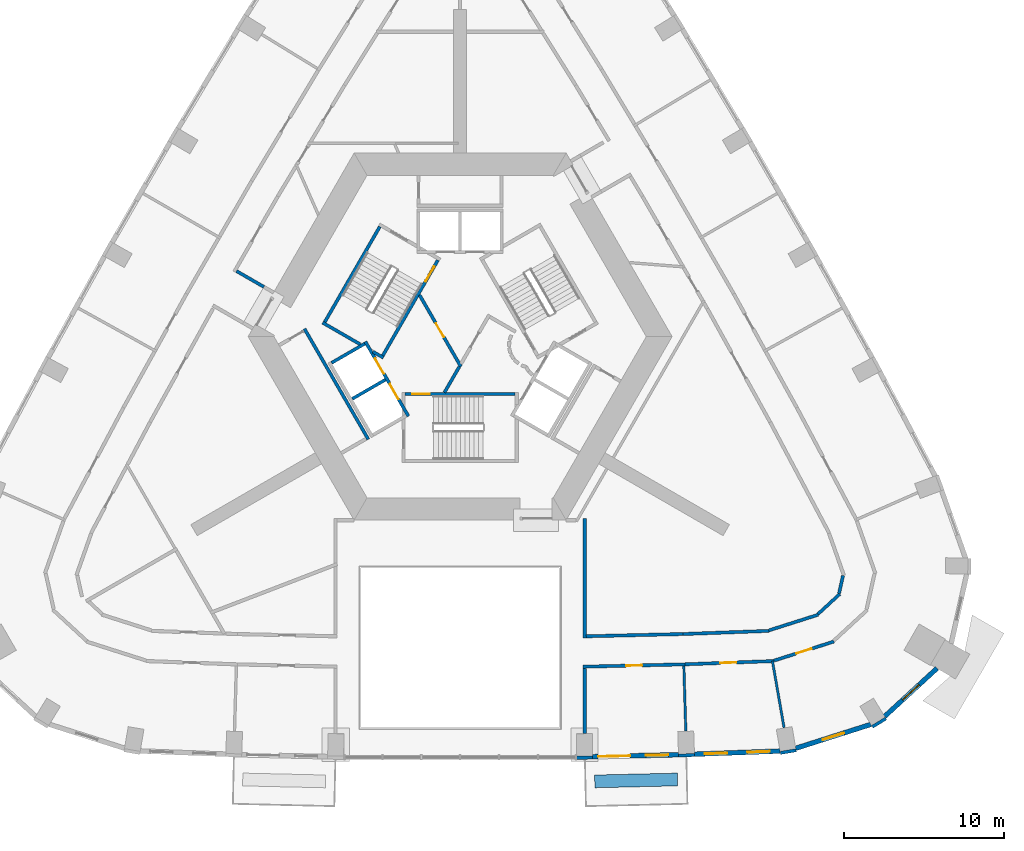
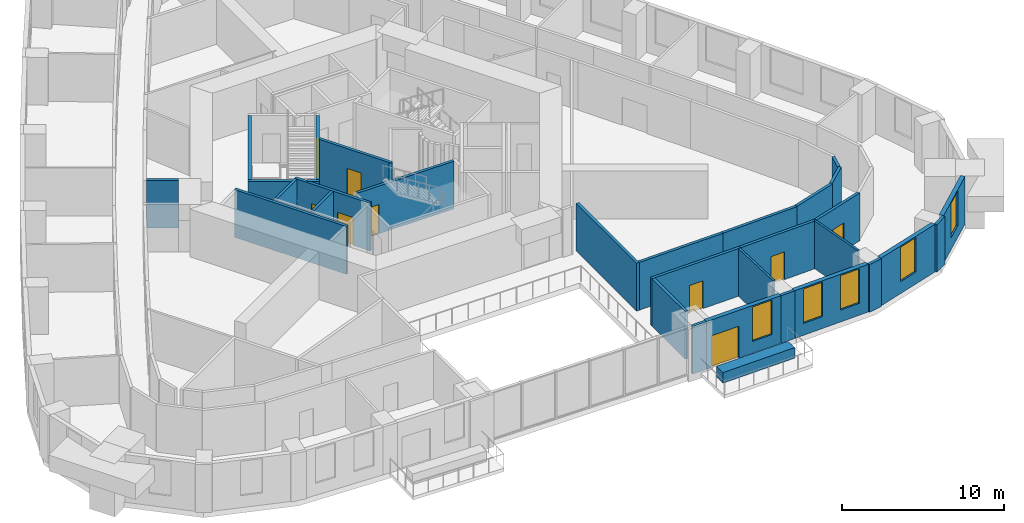
# One storey, part 5 of 13: 33 walls, 9 doors, 5 windows, 14 openings.
"""IFC4 building model written with IfcOpenShell, lengths in metres."""

from ifc_helpers import new_model, si_unit, direction, frame, frame_2d, origin, place, context, subcontext, project, spatial, rectangle, extrude, material, layer, layer_set, type_object, element, fill, save


model = new_model("IFC4")

# Units and contexts
model_context = context("Model", 3, precision=1e-05, world=origin(), true_north=direction((0.0, 1.0)))
body_context = subcontext(model_context, "Body", "Model", "MODEL_VIEW")
ifc_project = project(units=[si_unit("LENGTHUNIT", "METRE"), si_unit("AREAUNIT", "SQUARE_METRE"), si_unit("VOLUMEUNIT", "CUBIC_METRE"), si_unit("PLANEANGLEUNIT", "RADIAN"), si_unit("MASSUNIT", "GRAM", prefix="KILO")], contexts=[model_context])

# Site, building, storey
site_placement = place(None, origin())
site = spatial("IfcSite", under=ifc_project, at=site_placement, CompositionType="ELEMENT")
building_placement = place(site_placement, origin())
building = spatial("IfcBuilding", under=site, at=building_placement, Name="Entoto Arch Interchange Tower", CompositionType="ELEMENT")
storey_placement = place(building_placement, frame((0.0, 0.0, 231.800048828125)))
storey = spatial("IfcBuildingStorey", under=building, at=storey_placement, Name="L52", CompositionType="ELEMENT", Elevation=231.800048828125)

# Wall, openings, doors
ifc_material_1 = material(Name="Concrete C40/50", Category="concrete")
ifc_layer_1 = layer(ifc_material_1, 0.199951171875)
ifc_layer_set_1 = layer_set([ifc_layer_1], Name="Concrete C40/50")
wall_type_1 = type_object("IfcWallType", Name="LIFT SHAFT WALL 200", PredefinedType="STANDARD", material=ifc_layer_set_1)
wall_1_placement = place(storey_placement, frame((-5.93994140625, 2.18798828125, 0.0), z_axis=(0.0, 0.0, 1.0), x_axis=(0.500034260056, -0.866005622828, 0.0)))
wall_1 = element("IfcWall", 1, at=wall_1_placement, inside=storey, type_object=wall_type_1, Name="Shaft wall SW1 front", PredefinedType="STANDARD", context=body_context, shape_type="SweptSolid", body=[
    extrude(rectangle(XDim=5.3994140625, YDim=0.199951171875, at=frame_2d((2.69970703125, 0.0))), origin(), (0.0, 0.0, 1.0), 3.599853515625),
])
opening_1_placement = place(wall_1_placement, frame((3.074951171875, 0.0, 0.0)))
opening_1 = element("IfcOpeningElement", 2, at=opening_1_placement, cuts=wall_1, Name="Opening LD-HR4-L52", PredefinedType="OPENING", context=body_context, shape_type="SweptSolid", body=[
    extrude(rectangle(XDim=1.10009765625, YDim=2.10009765625, at=frame_2d((0.550048828125, 1.050048828125))), frame((0.0, 0.10986328125, 0.0), z_axis=(0.0, -1.0, 0.0), x_axis=(1.0, 0.0, 0.0)), (0.0, 0.0, 1.0), 0.219970703125),
])
opening_2_placement = place(wall_1_placement, frame((1.22509765625, 0.0, 0.0)))
opening_2 = element("IfcOpeningElement", 3, at=opening_2_placement, cuts=wall_1, Name="Opening LD-FF2-L52", PredefinedType="OPENING", context=body_context, shape_type="SweptSolid", body=[
    extrude(rectangle(XDim=1.10009765625, YDim=2.10009765625, at=frame_2d((0.550048828125, 1.050048828125))), frame((0.0, 0.10986328125, 0.0), z_axis=(0.0, -1.0, 0.0), x_axis=(1.0, 0.0, 0.0)), (0.0, 0.0, 1.0), 0.219970703125),
])
ifc_material_2 = material(Name="Stainless steel 1.4301 panels", Category="steel")
door_type_1 = type_object("IfcDoorType", Name="LIFT LANDING DOOR LD1 1100x2100", OperationType="SLIDING_TO_LEFT", PredefinedType="DOOR", material=ifc_material_2)
door_1_placement = place(opening_1_placement, origin())
door_1 = element("IfcDoor", 4, at=door_1_placement, inside=storey, type_object=door_type_1, Name="Lift landing door HR4 L52", OperationType="SLIDING_TO_LEFT", OverallHeight=2.10009765625, OverallWidth=1.10009765625, PredefinedType="DOOR", context=body_context, shape_type="SweptSolid", body=[
    extrude(rectangle(XDim=1.10009765625, YDim=2.10009765625, at=frame_2d((0.550048828125, 1.050048828125))), frame((0.0, 0.02490234375, 0.0), z_axis=(0.0, -1.0, 0.0), x_axis=(1.0, 0.0, 0.0)), (0.0, 0.0, 1.0), 0.050048828125),
])
fill(opening_1, door_1)
door_2_placement = place(opening_2_placement, origin())
door_2 = element("IfcDoor", 5, at=door_2_placement, inside=storey, type_object=door_type_1, Name="Lift landing door FF2 L52", OperationType="SLIDING_TO_LEFT", OverallHeight=2.10009765625, OverallWidth=1.10009765625, PredefinedType="DOOR", context=body_context, shape_type="SweptSolid", body=[
    extrude(rectangle(XDim=1.10009765625, YDim=2.10009765625, at=frame_2d((0.550048828125, 1.050048828125))), frame((0.0, 0.02490234375, 0.0), z_axis=(0.0, -1.0, 0.0), x_axis=(1.0, 0.0, 0.0)), (0.0, 0.0, 1.0), 0.050048828125),
])
fill(opening_2, door_2)

# Walls
for number, where, z_axis, x_axis, name in (
    (6, (-5.97705078125, 2.052001953125, 0.0), (0.0, 0.0, 1.0), (-0.865973769406, -0.500089422704, 0.0), "Shaft wall SW1 cross 1"),
    (7, (-4.677001953125, -0.199951171875, 0.0), (0.0, 0.0, 1.0), (-0.865973769406, -0.500089422704, 0.0), "Shaft wall SW1 cross 2"),
):
    element("IfcWall", number, at=place(storey_placement, frame(where, z_axis=z_axis, x_axis=x_axis)), inside=storey, type_object=wall_type_1, Name=name, PredefinedType="STANDARD", context=body_context, shape_type="SweptSolid", body=[
        extrude(rectangle(XDim=2.3994140625, YDim=0.199951171875, at=frame_2d((1.19970703125, 0.0))), origin(), (0.0, 0.0, 1.0), 3.599853515625),
    ])
ifc_material_3 = material(Name="Gypsum board partition on steel studs", Category="steel")
ifc_layer_2 = layer(ifc_material_3, 0.14990234375)
ifc_layer_set_2 = layer_set([ifc_layer_2], Name="Gypsum board partition on steel studs")
wall_type_2 = type_object("IfcWallType", Name="PARTITION 150", PredefinedType="PARTITIONING", material=ifc_layer_set_2)
wall_2_placement = place(storey_placement, frame((14.013916015625, -18.132080078125, 0.0), z_axis=(0.0, 0.0, 1.0), x_axis=(0.029914181802, -0.999552470722, 0.0)))
element("IfcWall", 8, at=wall_2_placement, inside=storey, type_object=wall_type_2, Name="wall:L52:p114", PredefinedType="PARTITIONING", context=body_context, shape_type="SweptSolid", body=[
    extrude(rectangle(XDim=4.08056640625, YDim=0.14990234375, at=frame_2d((2.040283203125, 0.0))), origin(), (0.0, 0.0, 1.0), 3.599853515625),
])
wall_3_placement = place(storey_placement, frame((19.56396484375, -17.827880859375, 0.0), z_axis=(0.0, 0.0, 1.0), x_axis=(0.171715909123, -0.985146510197, 0.0)))
element("IfcWall", 9, at=wall_3_placement, inside=storey, type_object=wall_type_2, Name="wall:L52:p115", PredefinedType="PARTITIONING", context=body_context, shape_type="SweptSolid", body=[
    extrude(rectangle(XDim=4.234130859375, YDim=0.14990234375, at=frame_2d((2.1171875, 0.0))), origin(), (0.0, 0.0, 1.0), 3.599853515625),
])
ifc_layer_3 = layer(ifc_material_3, 0.199951171875)
ifc_layer_set_3 = layer_set([ifc_layer_3], Name="Gypsum board partition on steel studs")
wall_type_3 = type_object("IfcWallType", Name="PARTITION 200", PredefinedType="PARTITIONING", material=ifc_layer_set_3)
wall_4_placement = place(storey_placement, frame((-14.007080078125, 6.60302734375, 0.0), z_axis=(0.0, 0.0, 1.0), x_axis=(0.866105617073, -0.499861040765, 0.0)))
element("IfcWall", 10, at=wall_4_placement, inside=storey, type_object=wall_type_3, Name="wall:L52:p004", PredefinedType="PARTITIONING", context=body_context, shape_type="SweptSolid", body=[
    extrude(rectangle(XDim=1.982421875, YDim=0.199951171875, at=frame_2d((0.9912109375, 0.0))), origin(), (0.0, 0.0, 1.0), 3.599853515625),
])
wall_5_placement = place(storey_placement, frame((7.89990234375, -16.27392578125, 0.0), z_axis=(0.0, 0.0, 1.0), x_axis=(0.999729409829, 0.023261709391, 0.0)))
element("IfcWall", 11, at=wall_5_placement, inside=storey, type_object=wall_type_3, Name="wall:L52:p020", PredefinedType="PARTITIONING", context=body_context, shape_type="SweptSolid", body=[
    extrude(rectangle(XDim=6.055908203125, YDim=0.199951171875, at=frame_2d((3.02783203125, 0.0))), origin(), (0.0, 0.0, 1.0), 3.599853515625),
])
wall_6_placement = place(storey_placement, frame((13.9541015625, -16.133056640625, 0.0), z_axis=(0.0, 0.0, 1.0), x_axis=(0.999323686931, 0.036771847101, 0.0)))
element("IfcWall", 12, at=wall_6_placement, inside=storey, type_object=wall_type_3, Name="wall:L52:p021", PredefinedType="PARTITIONING", context=body_context, shape_type="SweptSolid", body=[
    extrude(rectangle(XDim=5.384521484375, YDim=0.199951171875, at=frame_2d((2.6923828125, 0.0))), origin(), (0.0, 0.0, 1.0), 3.599853515625),
])
wall_7_placement = place(storey_placement, frame((19.330078125, -15.908935546875, 0.0), z_axis=(0.0, 0.0, 1.0), x_axis=(0.952831275662, 0.303500510906, 0.0)))
element("IfcWall", 13, at=wall_7_placement, inside=storey, type_object=wall_type_3, Name="wall:L52:p022", PredefinedType="PARTITIONING", context=body_context, shape_type="SweptSolid", body=[
    extrude(rectangle(XDim=3.2587890625, YDim=0.199951171875, at=frame_2d((1.62939453125, 0.0))), origin(), (0.0, 0.0, 1.0), 3.599853515625),
])
wall_8_placement = place(storey_placement, frame((22.4140625, -14.883056640625, 0.0), z_axis=(0.0, 0.0, 1.0), x_axis=(0.735983257634, 0.676999737432, 0.0)))
element("IfcWall", 14, at=wall_8_placement, inside=storey, type_object=wall_type_3, Name="wall:L52:p023", PredefinedType="PARTITIONING", context=body_context, shape_type="SweptSolid", body=[
    extrude(rectangle(XDim=1.862548828125, YDim=0.199951171875, at=frame_2d((0.93115234375, 0.0))), origin(), (0.0, 0.0, 1.0), 3.599853515625),
])
wall_9_placement = place(storey_placement, frame((23.73291015625, -13.592041015625, 0.0), z_axis=(0.0, 0.0, 1.0), x_axis=(0.218746220366, 0.975781784558, 0.0)))
element("IfcWall", 15, at=wall_9_placement, inside=storey, type_object=wall_type_3, Name="wall:L52:p024", PredefinedType="PARTITIONING", context=body_context, shape_type="SweptSolid", body=[
    extrude(rectangle(XDim=1.15283203125, YDim=0.199951171875, at=frame_2d((0.576416015625, 0.0))), origin(), (0.0, 0.0, 1.0), 3.599853515625),
])

# Wall, opening, door
wall_10_placement = place(storey_placement, frame((14.0859375, -18.031005859375, 0.0), z_axis=(0.0, 0.0, 1.0), x_axis=(-0.999731734638, -0.023161579355, 0.0)))
wall_10 = element("IfcWall", 16, at=wall_10_placement, inside=storey, type_object=wall_type_3, Name="wall:L52:p040", PredefinedType="PARTITIONING", context=body_context, shape_type="SweptSolid", body=[
    extrude(rectangle(XDim=6.3876953125, YDim=0.199951171875, at=frame_2d((3.19384765625, 0.0))), origin(), (0.0, 0.0, 1.0), 3.599853515625),
])
opening_3_placement = place(wall_10_placement, frame((2.694091796875, 0.0, 0.0)))
opening_3 = element("IfcOpeningElement", 17, at=opening_3_placement, cuts=wall_10, Name="Opening L52-D01", PredefinedType="OPENING", context=body_context, shape_type="SweptSolid", body=[
    extrude(rectangle(XDim=1.0, YDim=2.10009765625, at=frame_2d((0.5, 1.050048828125))), frame((0.0, 0.10986328125, 0.0), z_axis=(0.0, -1.0, 0.0), x_axis=(1.0, 0.0, 0.0)), (0.0, 0.0, 1.0), 0.219970703125),
])
ifc_material_4 = material(Name="Timber door leaf in Steel S235 frame", Category="steel")
door_type_2 = type_object("IfcDoorType", Name="DOOR DS-10 1000x2100", OperationType="SINGLE_SWING_LEFT", PredefinedType="DOOR", material=ifc_material_4)
door_3_placement = place(opening_3_placement, origin())
door_3 = element("IfcDoor", 18, at=door_3_placement, inside=storey, type_object=door_type_2, Name="door:L52:01", OperationType="SINGLE_SWING_LEFT", OverallHeight=2.10009765625, OverallWidth=1.0, PredefinedType="DOOR", context=body_context, shape_type="SweptSolid", body=[
    extrude(rectangle(XDim=1.0, YDim=2.10009765625, at=frame_2d((0.5, 1.050048828125))), frame((0.0, 0.02490234375, 0.0), z_axis=(0.0, -1.0, 0.0), x_axis=(1.0, 0.0, 0.0)), (0.0, 0.0, 1.0), 0.050048828125),
])
fill(opening_3, door_3)

wall_11_placement = place(storey_placement, frame((19.6640625, -17.823974609375, 0.0), z_axis=(0.0, 0.0, 1.0), x_axis=(-0.999324862533, -0.036739884652, 0.0)))
wall_11 = element("IfcWall", 19, at=wall_11_placement, inside=storey, type_object=wall_type_3, Name="wall:L52:p041", PredefinedType="PARTITIONING", context=body_context, shape_type="SweptSolid", body=[
    extrude(rectangle(XDim=5.581787109375, YDim=0.199951171875, at=frame_2d((2.791015625, 0.0))), origin(), (0.0, 0.0, 1.0), 3.599853515625),
])
opening_4_placement = place(wall_11_placement, frame((2.365966796875, 0.0, 0.0)))
opening_4 = element("IfcOpeningElement", 20, at=opening_4_placement, cuts=wall_11, Name="Opening L52-D02", PredefinedType="OPENING", context=body_context, shape_type="SweptSolid", body=[
    extrude(rectangle(XDim=1.0, YDim=2.10009765625, at=frame_2d((0.5, 1.050048828125))), frame((0.0, 0.10986328125, 0.0), z_axis=(0.0, -1.0, 0.0), x_axis=(1.0, 0.0, 0.0)), (0.0, 0.0, 1.0), 0.219970703125),
])
door_4_placement = place(opening_4_placement, origin())
door_4 = element("IfcDoor", 21, at=door_4_placement, inside=storey, type_object=door_type_2, Name="door:L52:02", OperationType="SINGLE_SWING_LEFT", OverallHeight=2.10009765625, OverallWidth=1.0, PredefinedType="DOOR", context=body_context, shape_type="SweptSolid", body=[
    extrude(rectangle(XDim=1.0, YDim=2.10009765625, at=frame_2d((0.5, 1.050048828125))), frame((0.0, 0.02490234375, 0.0), z_axis=(0.0, -1.0, 0.0), x_axis=(1.0, 0.0, 0.0)), (0.0, 0.0, 1.0), 0.050048828125),
])
fill(opening_4, door_4)

wall_12_placement = place(storey_placement, frame((23.412109375, -16.60302734375, 0.0), z_axis=(0.0, 0.0, 1.0), x_axis=(-0.952838618572, -0.303477457083, 0.0)))
wall_12 = element("IfcWall", 22, at=wall_12_placement, inside=storey, type_object=wall_type_3, Name="wall:L52:p045", PredefinedType="PARTITIONING", context=body_context, shape_type="SweptSolid", body=[
    extrude(rectangle(XDim=3.93798828125, YDim=0.199951171875, at=frame_2d((1.968994140625, 0.0))), origin(), (0.0, 0.0, 1.0), 3.599853515625),
])
opening_5_placement = place(wall_12_placement, frame((1.468994140625, 0.0, 0.0)))
opening_5 = element("IfcOpeningElement", 23, at=opening_5_placement, cuts=wall_12, Name="Opening L52-D03", PredefinedType="OPENING", context=body_context, shape_type="SweptSolid", body=[
    extrude(rectangle(XDim=1.0, YDim=2.10009765625, at=frame_2d((0.5, 1.050048828125))), frame((0.0, 0.10986328125, 0.0), z_axis=(0.0, -1.0, 0.0), x_axis=(1.0, 0.0, 0.0)), (0.0, 0.0, 1.0), 0.219970703125),
])
door_5_placement = place(opening_5_placement, origin())
door_5 = element("IfcDoor", 24, at=door_5_placement, inside=storey, type_object=door_type_2, Name="door:L52:03", OperationType="SINGLE_SWING_LEFT", OverallHeight=2.10009765625, OverallWidth=1.0, PredefinedType="DOOR", context=body_context, shape_type="SweptSolid", body=[
    extrude(rectangle(XDim=1.0, YDim=2.10009765625, at=frame_2d((0.5, 1.050048828125))), frame((0.0, 0.02490234375, 0.0), z_axis=(0.0, -1.0, 0.0), x_axis=(1.0, 0.0, 0.0)), (0.0, 0.0, 1.0), 0.050048828125),
])
fill(opening_5, door_5)

# Walls
wall_13_placement = place(storey_placement, frame((-9.7509765625, 2.989990234375, 0.0), z_axis=(0.0, 0.0, 1.0), x_axis=(0.500012163284, -0.866018381195, 0.0)))
element("IfcWall", 25, at=wall_13_placement, inside=storey, type_object=wall_type_3, Name="wall:L52:p079", PredefinedType="PARTITIONING", context=body_context, shape_type="SweptSolid", body=[
    extrude(rectangle(XDim=7.999755859375, YDim=0.199951171875, at=frame_2d((4.0, 0.0))), origin(), (0.0, 0.0, 1.0), 3.599853515625),
])
wall_14_placement = place(storey_placement, frame((-0.98193359375, -1.0, 0.0), z_axis=(0.0, 0.0, 1.0), x_axis=(0.50024047865, 0.865886518847, 0.0)))
element("IfcWall", 26, at=wall_14_placement, inside=storey, type_object=wall_type_3, Name="wall:L52:p086", PredefinedType="PARTITIONING", context=body_context, shape_type="SweptSolid", body=[
    extrude(rectangle(XDim=1.86279296875, YDim=0.199951171875, at=frame_2d((0.931396484375, 0.0))), origin(), (0.0, 0.0, 1.0), 3.599853515625),
])

# Wall, opening, door
wall_15_placement = place(storey_placement, frame((-2.5400390625, 5.10009765625, 0.0), z_axis=(0.0, 0.0, 1.0), x_axis=(0.499925051871, -0.866068670783, 0.0)))
wall_15 = element("IfcWall", 27, at=wall_15_placement, inside=storey, type_object=wall_type_3, Name="wall:L52:p097", PredefinedType="PARTITIONING", context=body_context, shape_type="SweptSolid", body=[
    extrude(rectangle(XDim=5.180908203125, YDim=0.199951171875, at=frame_2d((2.59033203125, 0.0))), origin(), (0.0, 0.0, 1.0), 3.599853515625),
])
opening_6_placement = place(wall_15_placement, frame((2.0400390625, 0.0, 0.0)))
opening_6 = element("IfcOpeningElement", 28, at=opening_6_placement, cuts=wall_15, Name="Opening L52-D28", PredefinedType="OPENING", context=body_context, shape_type="SweptSolid", body=[
    extrude(rectangle(XDim=1.0, YDim=2.10009765625, at=frame_2d((0.5, 1.050048828125))), frame((0.0, 0.10986328125, 0.0), z_axis=(0.0, -1.0, 0.0), x_axis=(1.0, 0.0, 0.0)), (0.0, 0.0, 1.0), 0.219970703125),
])
ifc_material_5 = material(Name="Fire-rated Steel S235 door and frame", Category="steel")
door_type_3 = type_object("IfcDoorType", Name="DOOR FD-10 1000x2100", OperationType="SINGLE_SWING_LEFT", PredefinedType="DOOR", material=ifc_material_5)
door_6_placement = place(opening_6_placement, origin())
door_6 = element("IfcDoor", 29, at=door_6_placement, inside=storey, type_object=door_type_3, Name="door:L52:28", OperationType="SINGLE_SWING_RIGHT", OverallHeight=2.10009765625, OverallWidth=1.0, PredefinedType="DOOR", context=body_context, shape_type="SweptSolid", body=[
    extrude(rectangle(XDim=1.0, YDim=2.10009765625, at=frame_2d((0.5, 1.050048828125))), frame((0.0, 0.02490234375, 0.0), z_axis=(0.0, -1.0, 0.0), x_axis=(1.0, 0.0, 0.0)), (0.0, 0.0, 1.0), 0.050048828125),
])
fill(opening_6, door_6)

# Walls
wall_16_placement = place(storey_placement, frame((7.800048828125, -8.89892578125, 0.0), z_axis=(0.0, 0.0, 1.0), x_axis=(0.0, -1.0, 0.0)))
element("IfcWall", 30, at=wall_16_placement, inside=storey, type_object=wall_type_3, Name="wall:L52:p098", PredefinedType="PARTITIONING", context=body_context, shape_type="SweptSolid", body=[
    extrude(rectangle(XDim=7.47705078125, YDim=0.199951171875, at=frame_2d((3.738525390625, 0.0))), origin(), (0.0, 0.0, 1.0), 3.599853515625),
])
wall_17_placement = place(storey_placement, frame((7.800048828125, -18.27587890625, 0.0), z_axis=(0.0, 0.0, 1.0), x_axis=(0.0, -1.0, 0.0)))
element("IfcWall", 31, at=wall_17_placement, inside=storey, type_object=wall_type_3, Name="wall:L52:p102", PredefinedType="PARTITIONING", context=body_context, shape_type="SweptSolid", body=[
    extrude(rectangle(XDim=4.08203125, YDim=0.199951171875, at=frame_2d((2.041015625, 0.0))), origin(), (0.0, 0.0, 1.0), 3.599853515625),
])
ifc_material_6 = material(Name="Board-marked precast concrete C50/60", Category="concrete")
ifc_layer_4 = layer(ifc_material_6, 0.800048828125)
ifc_layer_set_4 = layer_set([ifc_layer_4], Name="Board-marked precast concrete C50/60")
wall_type_4 = type_object("IfcWallType", Name="PLANTER RC 800 Vachellia abyssinica", PredefinedType="STANDARD", material=ifc_layer_set_4)
wall_18_placement = place(storey_placement, frame((8.431884765625, -25.364013671875, 0.0), z_axis=(0.0, 0.0, 1.0), x_axis=(0.999731876607, 0.023155450677, 0.0)))
element("IfcWall", 32, at=wall_18_placement, inside=storey, type_object=wall_type_4, Name="Planter S-04 L52", PredefinedType="STANDARD", context=body_context, shape_type="SweptSolid", body=[
    extrude(rectangle(XDim=5.1875, YDim=0.800048828125, at=frame_2d((2.59375, 0.0))), origin(), (0.0, 0.0, 1.0), 0.800048828125),
])

# Wall, opening, door
ifc_layer_5 = layer(ifc_material_1, 0.199951171875)
ifc_layer_set_5 = layer_set([ifc_layer_5], Name="Concrete C40/50")
wall_type_5 = type_object("IfcWallType", Name="STAIR ENCLOSURE WALL 200", PredefinedType="STANDARD", material=ifc_layer_set_5)
wall_19_placement = place(storey_placement, frame((-3.449951171875, -1.10009765625, 0.0), z_axis=(0.0, 0.0, 1.0), x_axis=(1.0, 0.0, 0.0)))
wall_19 = element("IfcWall", 33, at=wall_19_placement, inside=storey, type_object=wall_type_5, Name="Stair wall ST-S hall", PredefinedType="STANDARD", context=body_context, shape_type="SweptSolid", body=[
    extrude(rectangle(XDim=6.89990234375, YDim=0.199951171875, at=frame_2d((3.449951171875, 0.0))), origin(), (0.0, 0.0, 1.0), 3.599853515625),
])
opening_7_placement = place(wall_19_placement, frame((0.449951171875, 0.0, 0.0)))
opening_7 = element("IfcOpeningElement", 34, at=opening_7_placement, cuts=wall_19, Name="Opening SD-ST-S-L52", PredefinedType="OPENING", context=body_context, shape_type="SweptSolid", body=[
    extrude(rectangle(XDim=1.10009765625, YDim=2.199951171875, at=frame_2d((0.550048828125, 1.10009765625))), frame((0.0, 0.10986328125, 0.0), z_axis=(0.0, -1.0, 0.0), x_axis=(1.0, 0.0, 0.0)), (0.0, 0.0, 1.0), 0.219970703125),
])
ifc_material_7 = material(Name="Steel S235", Category="steel")
door_type_4 = type_object("IfcDoorType", Name="STAIR DOOR SD1 1100x2200", OperationType="SINGLE_SWING_LEFT", PredefinedType="DOOR", material=ifc_material_7)
door_7_placement = place(opening_7_placement, origin())
door_7 = element("IfcDoor", 35, at=door_7_placement, inside=storey, type_object=door_type_4, Name="Stair door ST-S L52", OperationType="SINGLE_SWING_LEFT", OverallHeight=2.199951171875, OverallWidth=1.10009765625, PredefinedType="DOOR", context=body_context, shape_type="SweptSolid", body=[
    extrude(rectangle(XDim=1.10009765625, YDim=2.199951171875, at=frame_2d((0.550048828125, 1.10009765625))), frame((0.0, 0.02490234375, 0.0), z_axis=(0.0, -1.0, 0.0), x_axis=(1.0, 0.0, 0.0)), (0.0, 0.0, 1.0), 0.050048828125),
])
fill(opening_7, door_7)

# Walls
wall_20_placement = place(storey_placement, frame((-6.25, 2.010009765625, 0.0), z_axis=(0.0, 0.0, 1.0), x_axis=(-0.86611865017, 0.499838457731, 0.0)))
element("IfcWall", 36, at=wall_20_placement, inside=storey, type_object=wall_type_5, Name="Stair wall ST-NW far", PredefinedType="STANDARD", context=body_context, shape_type="SweptSolid", body=[
    extrude(rectangle(XDim=2.73291015625, YDim=0.199951171875, at=frame_2d((1.366455078125, 0.0))), origin(), (0.0, 0.0, 1.0), 3.599853515625),
])
wall_21_placement = place(storey_placement, frame((-4.805908203125, 1.176025390625, 0.0), z_axis=(0.0, 0.0, 1.0), x_axis=(-0.866558586415, 0.499075361355, 0.0)))
element("IfcWall", 37, at=wall_21_placement, inside=storey, type_object=wall_type_5, Name="Stair wall ST-NW far return", PredefinedType="STANDARD", context=body_context, shape_type="SweptSolid", body=[
    extrude(rectangle(XDim=0.75146484375, YDim=0.199951171875, at=frame_2d((0.375732421875, 0.0))), origin(), (0.0, 0.0, 1.0), 3.599853515625),
])

# Wall, opening, door
wall_22_placement = place(storey_placement, frame((-1.39306640625, 7.2880859375, 0.0), z_axis=(0.0, 0.0, 1.0), x_axis=(-0.499963383562, -0.866046543262, 0.0)))
wall_22 = element("IfcWall", 38, at=wall_22_placement, inside=storey, type_object=wall_type_5, Name="Stair wall ST-NW hall", PredefinedType="STANDARD", context=body_context, shape_type="SweptSolid", body=[
    extrude(rectangle(XDim=6.900390625, YDim=0.199951171875, at=frame_2d((3.4501953125, 0.0))), origin(), (0.0, 0.0, 1.0), 3.599853515625),
])
opening_8_placement = place(wall_22_placement, frame((0.449951171875, 0.0, 0.0)))
opening_8 = element("IfcOpeningElement", 39, at=opening_8_placement, cuts=wall_22, Name="Opening SD-ST-NW-L52", PredefinedType="OPENING", context=body_context, shape_type="SweptSolid", body=[
    extrude(rectangle(XDim=1.10009765625, YDim=2.199951171875, at=frame_2d((0.550048828125, 1.10009765625))), frame((0.0, 0.10986328125, 0.0), z_axis=(0.0, -1.0, 0.0), x_axis=(1.0, 0.0, 0.0)), (0.0, 0.0, 1.0), 0.219970703125),
])
door_8_placement = place(opening_8_placement, origin())
door_8 = element("IfcDoor", 40, at=door_8_placement, inside=storey, type_object=door_type_4, Name="Stair door ST-NW L52", OperationType="SINGLE_SWING_LEFT", OverallHeight=2.199951171875, OverallWidth=1.10009765625, PredefinedType="DOOR", context=body_context, shape_type="SweptSolid", body=[
    extrude(rectangle(XDim=1.10009765625, YDim=2.199951171875, at=frame_2d((0.550048828125, 1.10009765625))), frame((0.0, 0.02490234375, 0.0), z_axis=(0.0, -1.0, 0.0), x_axis=(1.0, 0.0, 0.0)), (0.0, 0.0, 1.0), 0.050048828125),
])
fill(opening_8, door_8)

# Wall
wall_23_placement = place(storey_placement, frame((-5.030029296875, 9.387939453125, 0.0), z_axis=(0.0, 0.0, 1.0), x_axis=(-0.499978703459, -0.866037698999, 0.0)))
element("IfcWall", 41, at=wall_23_placement, inside=storey, type_object=wall_type_5, Name="Stair wall ST-NW back", PredefinedType="STANDARD", context=body_context, shape_type="SweptSolid", body=[
    extrude(rectangle(XDim=6.900146484375, YDim=0.199951171875, at=frame_2d((3.4501953125, 0.0))), origin(), (0.0, 0.0, 1.0), 3.599853515625),
])

# Wall, openings, door, window
ifc_material_8 = material(Name="Welded tuff (ignimbrite) cladding, warm buff", Category="masonry")
ifc_layer_6 = layer(ifc_material_8, 0.300048828125)
ifc_layer_set_6 = layer_set([ifc_layer_6], Name="Welded tuff (ignimbrite) cladding, warm buff")
wall_type_6 = type_object("IfcWallType", Name="STONE INFILL WALL 300", PredefinedType="STANDARD", material=ifc_layer_set_6)
wall_24_placement = place(storey_placement, frame((8.297119140625, -23.81591796875, 0.0), z_axis=(0.0, 0.0, 1.0), x_axis=(0.999734766333, 0.023030349233, 0.0)))
wall_24 = element("IfcWall", 42, at=wall_24_placement, inside=storey, type_object=wall_type_6, Name="Facade wall S-04 L52", PredefinedType="STANDARD", context=body_context, shape_type="SweptSolid", body=[
    extrude(rectangle(XDim=5.38525390625, YDim=0.300048828125, at=frame_2d((2.692626953125, 0.0))), origin(), (0.0, 0.0, 1.0), 3.599853515625),
])
opening_9_placement = place(wall_24_placement, frame((0.345947265625, 0.0, 0.0)))
opening_9 = element("IfcOpeningElement", 43, at=opening_9_placement, cuts=wall_24, Name="Opening DB-S-04-L52", PredefinedType="OPENING", context=body_context, shape_type="SweptSolid", body=[
    extrude(rectangle(XDim=2.0, YDim=2.39990234375, at=frame_2d((1.0, 1.199951171875))), frame((0.0, 0.16015625, 0.0), z_axis=(0.0, -1.0, 0.0), x_axis=(1.0, 0.0, 0.0)), (0.0, 0.0, 1.0), 0.320068359375),
])
opening_10_placement = place(wall_24_placement, frame((3.339111328125, 0.0, 0.89990234375)))
opening_10 = element("IfcOpeningElement", 44, at=opening_10_placement, cuts=wall_24, Name="Opening WO-B", PredefinedType="OPENING", context=body_context, shape_type="SweptSolid", body=[
    extrude(rectangle(XDim=1.39990234375, YDim=2.60009765625, at=frame_2d((0.699951171875, 1.300048828125))), frame((0.0, 0.16015625, 0.0), z_axis=(0.0, -1.0, 0.0), x_axis=(1.0, 0.0, 0.0)), (0.0, 0.0, 1.0), 0.320068359375),
])
ifc_material_9 = material(Name="Aluminium and clear glass, anodised", Category="aluminium")
door_type_5 = type_object("IfcDoorType", Name="BALCONY DOOR DB 2000x2400", OperationType="SLIDING_TO_LEFT", PredefinedType="DOOR", material=ifc_material_9)
door_9_placement = place(opening_9_placement, origin())
door_9 = element("IfcDoor", 45, at=door_9_placement, inside=storey, type_object=door_type_5, Name="Balcony door S-04 L52", OperationType="SLIDING_TO_LEFT", OverallHeight=2.39990234375, OverallWidth=2.0, PredefinedType="DOOR", context=body_context, shape_type="SweptSolid", body=[
    extrude(rectangle(XDim=2.0, YDim=2.39990234375, at=frame_2d((1.0, 1.199951171875))), frame((0.0, 0.02490234375, 0.0), z_axis=(0.0, -1.0, 0.0), x_axis=(1.0, 0.0, 0.0)), (0.0, 0.0, 1.0), 0.050048828125),
])
fill(opening_9, door_9)
ifc_material_10 = material(Name="Clear glass, low-e double glazed", Category="glass")
window_type = type_object("IfcWindowType", Name="WINDOW WO-B 1400x2600", PartitioningType="DOUBLE_PANEL_VERTICAL", PredefinedType="WINDOW", material=ifc_material_10)
window_1_placement = place(opening_10_placement, origin())
window_1 = element("IfcWindow", 46, at=window_1_placement, inside=storey, type_object=window_type, Name="Window WO-B S-04 L52", OverallHeight=2.60009765625, OverallWidth=1.39990234375, PartitioningType="SINGLE_PANEL", PredefinedType="WINDOW", context=body_context, shape_type="SweptSolid", body=[
    extrude(rectangle(XDim=1.39990234375, YDim=2.60009765625, at=frame_2d((0.699951171875, 1.300048828125))), frame((0.0, 0.030029296875, 0.0), z_axis=(0.0, -1.0, 0.0), x_axis=(1.0, 0.0, 0.0)), (0.0, 0.0, 1.0), 0.06005859375),
])
fill(opening_10, window_1)

# Wall, openings, windows
wall_25_placement = place(storey_placement, frame((14.678955078125, -23.662109375, 0.0), z_axis=(0.0, 0.0, 1.0), x_axis=(0.999318693414, 0.036907302717, 0.0)))
wall_25 = element("IfcWall", 47, at=wall_25_placement, inside=storey, type_object=wall_type_6, Name="Facade wall S-05 L52", PredefinedType="STANDARD", context=body_context, shape_type="SweptSolid", body=[
    extrude(rectangle(XDim=5.36474609375, YDim=0.300048828125, at=frame_2d((2.682373046875, 0.0))), origin(), (0.0, 0.0, 1.0), 3.599853515625),
])
opening_11_placement = place(wall_25_placement, frame((0.64111328125, 0.0, 0.89990234375)))
opening_11 = element("IfcOpeningElement", 48, at=opening_11_placement, cuts=wall_25, Name="Opening WO-B", PredefinedType="OPENING", context=body_context, shape_type="SweptSolid", body=[
    extrude(rectangle(XDim=1.39990234375, YDim=2.60009765625, at=frame_2d((0.699951171875, 1.300048828125))), frame((0.0, 0.16015625, 0.0), z_axis=(0.0, -1.0, 0.0), x_axis=(1.0, 0.0, 0.0)), (0.0, 0.0, 1.0), 0.320068359375),
])
opening_12_placement = place(wall_25_placement, frame((3.322998046875, 0.0, 0.89990234375)))
opening_12 = element("IfcOpeningElement", 49, at=opening_12_placement, cuts=wall_25, Name="Opening WO-B", PredefinedType="OPENING", context=body_context, shape_type="SweptSolid", body=[
    extrude(rectangle(XDim=1.39990234375, YDim=2.60009765625, at=frame_2d((0.699951171875, 1.300048828125))), frame((0.0, 0.16015625, 0.0), z_axis=(0.0, -1.0, 0.0), x_axis=(1.0, 0.0, 0.0)), (0.0, 0.0, 1.0), 0.320068359375),
])
window_2_placement = place(opening_11_placement, origin())
window_2 = element("IfcWindow", 50, at=window_2_placement, inside=storey, type_object=window_type, Name="Window WO-B S-05 L52", OverallHeight=2.60009765625, OverallWidth=1.39990234375, PartitioningType="SINGLE_PANEL", PredefinedType="WINDOW", context=body_context, shape_type="SweptSolid", body=[
    extrude(rectangle(XDim=1.39990234375, YDim=2.60009765625, at=frame_2d((0.699951171875, 1.300048828125))), frame((0.0, 0.030029296875, 0.0), z_axis=(0.0, -1.0, 0.0), x_axis=(1.0, 0.0, 0.0)), (0.0, 0.0, 1.0), 0.06005859375),
])
fill(opening_11, window_2)
window_3_placement = place(opening_12_placement, origin())
window_3 = element("IfcWindow", 51, at=window_3_placement, inside=storey, type_object=window_type, Name="Window WO-B S-05 L52", OverallHeight=2.60009765625, OverallWidth=1.39990234375, PartitioningType="SINGLE_PANEL", PredefinedType="WINDOW", context=body_context, shape_type="SweptSolid", body=[
    extrude(rectangle(XDim=1.39990234375, YDim=2.60009765625, at=frame_2d((0.699951171875, 1.300048828125))), frame((0.0, 0.030029296875, 0.0), z_axis=(0.0, -1.0, 0.0), x_axis=(1.0, 0.0, 0.0)), (0.0, 0.0, 1.0), 0.06005859375),
])
fill(opening_12, window_3)

# Wall, opening, window
wall_26_placement = place(storey_placement, frame((21.02294921875, -23.29296875, 0.0), z_axis=(0.0, 0.0, 1.0), x_axis=(0.952886818649, 0.30332608006, 0.0)))
wall_26 = element("IfcWall", 52, at=wall_26_placement, inside=storey, type_object=wall_type_6, Name="Facade wall SE-01 L52", PredefinedType="STANDARD", context=body_context, shape_type="SweptSolid", body=[
    extrude(rectangle(XDim=4.938720703125, YDim=0.300048828125, at=frame_2d((2.46923828125, 0.0))), origin(), (0.0, 0.0, 1.0), 3.599853515625),
])
opening_13_placement = place(wall_26_placement, frame((1.76904296875, 0.0, 0.89990234375)))
opening_13 = element("IfcOpeningElement", 53, at=opening_13_placement, cuts=wall_26, Name="Opening WO-B", PredefinedType="OPENING", context=body_context, shape_type="SweptSolid", body=[
    extrude(rectangle(XDim=1.39990234375, YDim=2.60009765625, at=frame_2d((0.699951171875, 1.300048828125))), frame((0.0, 0.16015625, 0.0), z_axis=(0.0, -1.0, 0.0), x_axis=(1.0, 0.0, 0.0)), (0.0, 0.0, 1.0), 0.320068359375),
])
window_4_placement = place(opening_13_placement, origin())
window_4 = element("IfcWindow", 54, at=window_4_placement, inside=storey, type_object=window_type, Name="Window WO-B SE-01 L52", OverallHeight=2.60009765625, OverallWidth=1.39990234375, PartitioningType="SINGLE_PANEL", PredefinedType="WINDOW", context=body_context, shape_type="SweptSolid", body=[
    extrude(rectangle(XDim=1.39990234375, YDim=2.60009765625, at=frame_2d((0.699951171875, 1.300048828125))), frame((0.0, 0.030029296875, 0.0), z_axis=(0.0, -1.0, 0.0), x_axis=(1.0, 0.0, 0.0)), (0.0, 0.0, 1.0), 0.06005859375),
])
fill(opening_13, window_4)

wall_27_placement = place(storey_placement, frame((26.593994140625, -21.2958984375, 0.0), z_axis=(0.0, 0.0, 1.0), x_axis=(0.735927731403, 0.67706009641, 0.0)))
wall_27 = element("IfcWall", 55, at=wall_27_placement, inside=storey, type_object=wall_type_6, Name="Facade wall SE-02 L52", PredefinedType="STANDARD", context=body_context, shape_type="SweptSolid", body=[
    extrude(rectangle(XDim=4.449951171875, YDim=0.300048828125, at=frame_2d((2.22509765625, 0.0))), origin(), (0.0, 0.0, 1.0), 3.599853515625),
])
opening_14_placement = place(wall_27_placement, frame((1.52490234375, 0.0, 0.89990234375)))
opening_14 = element("IfcOpeningElement", 56, at=opening_14_placement, cuts=wall_27, Name="Opening WO-B", PredefinedType="OPENING", context=body_context, shape_type="SweptSolid", body=[
    extrude(rectangle(XDim=1.39990234375, YDim=2.60009765625, at=frame_2d((0.699951171875, 1.300048828125))), frame((0.0, 0.16015625, 0.0), z_axis=(0.0, -1.0, 0.0), x_axis=(1.0, 0.0, 0.0)), (0.0, 0.0, 1.0), 0.320068359375),
])
window_5_placement = place(opening_14_placement, origin())
window_5 = element("IfcWindow", 57, at=window_5_placement, inside=storey, type_object=window_type, Name="Window WO-B SE-02 L52", OverallHeight=2.60009765625, OverallWidth=1.39990234375, PartitioningType="SINGLE_PANEL", PredefinedType="WINDOW", context=body_context, shape_type="SweptSolid", body=[
    extrude(rectangle(XDim=1.39990234375, YDim=2.60009765625, at=frame_2d((0.699951171875, 1.300048828125))), frame((0.0, 0.030029296875, 0.0), z_axis=(0.0, -1.0, 0.0), x_axis=(1.0, 0.0, 0.0)), (0.0, 0.0, 1.0), 0.06005859375),
])
fill(opening_14, window_5)

# Walls
ifc_layer_7 = layer(ifc_material_8, 0.199951171875)
ifc_layer_set_7 = layer_set([ifc_layer_7], Name="Welded tuff (ignimbrite) cladding, warm buff")
wall_type_7 = type_object("IfcWallType", Name="STONE PIER CLADDING 200", PredefinedType="STANDARD", material=ifc_layer_set_7)
wall_28_placement = place(storey_placement, frame((7.299072265625, -23.885009765625, 0.0), z_axis=(0.0, 0.0, 1.0), x_axis=(0.999903186316, 0.013914668364, 0.0)))
element("IfcWall", 58, at=wall_28_placement, inside=storey, type_object=wall_type_7, Name="Stone pier S04 L52", PredefinedType="STANDARD", context=body_context, shape_type="SweptSolid", body=[
    extrude(rectangle(XDim=1.0, YDim=0.199951171875, at=frame_2d((0.5, 0.0))), origin(), (0.0, 0.0, 1.0), 3.599853515625),
])
wall_29_placement = place(storey_placement, frame((13.681884765625, -23.7470703125, 0.0), z_axis=(0.0, 0.0, 1.0), x_axis=(0.999415245245, 0.034193092457, 0.0)))
element("IfcWall", 59, at=wall_29_placement, inside=storey, type_object=wall_type_7, Name="Stone pier S05 L52", PredefinedType="STANDARD", context=body_context, shape_type="SweptSolid", body=[
    extrude(rectangle(XDim=0.99951171875, YDim=0.199951171875, at=frame_2d((0.499755859375, 0.0))), origin(), (0.0, 0.0, 1.0), 3.599853515625),
])
wall_30_placement = place(storey_placement, frame((20.05908203125, -23.5810546875, 0.0), z_axis=(0.0, 0.0, 1.0), x_axis=(0.985631544579, 0.168909615862, 0.0)))
element("IfcWall", 60, at=wall_30_placement, inside=storey, type_object=wall_type_7, Name="Stone pier S06 L52", PredefinedType="STANDARD", context=body_context, shape_type="SweptSolid", body=[
    extrude(rectangle(XDim=1.000244140625, YDim=0.199951171875, at=frame_2d((0.5, 0.0))), origin(), (0.0, 0.0, 1.0), 3.599853515625),
])
wall_31_placement = place(storey_placement, frame((25.820068359375, -21.946044921875, 0.0), z_axis=(0.0, 0.0, 1.0), x_axis=(0.853679739553, 0.520798331677, 0.0)))
element("IfcWall", 61, at=wall_31_placement, inside=storey, type_object=wall_type_7, Name="Stone pier SE1 L52", PredefinedType="STANDARD", context=body_context, shape_type="SweptSolid", body=[
    extrude(rectangle(XDim=1.00048828125, YDim=0.199951171875, at=frame_2d((0.500244140625, 0.0))), origin(), (0.0, 0.0, 1.0), 3.599853515625),
])

save(model, "model.ifc")
